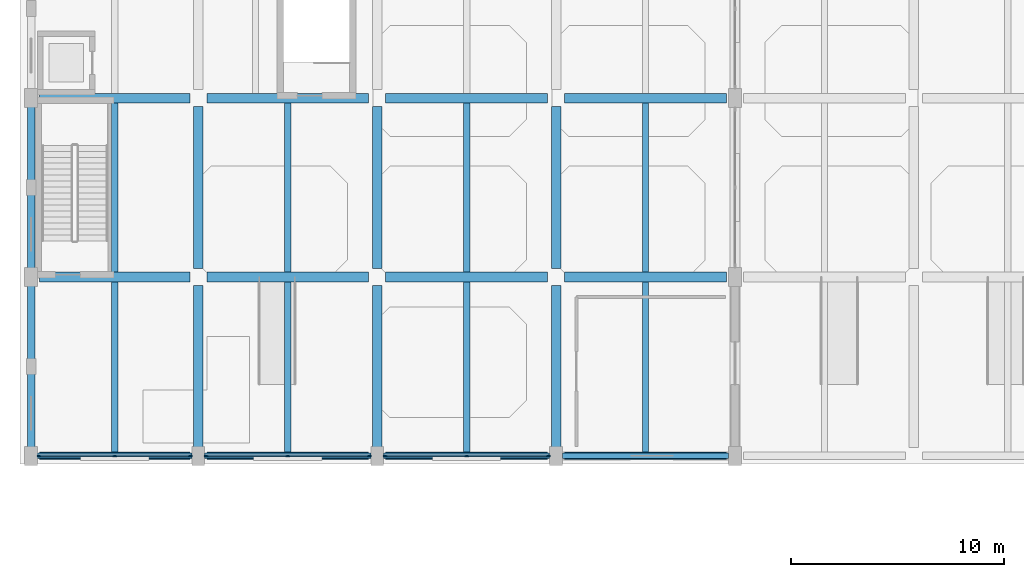
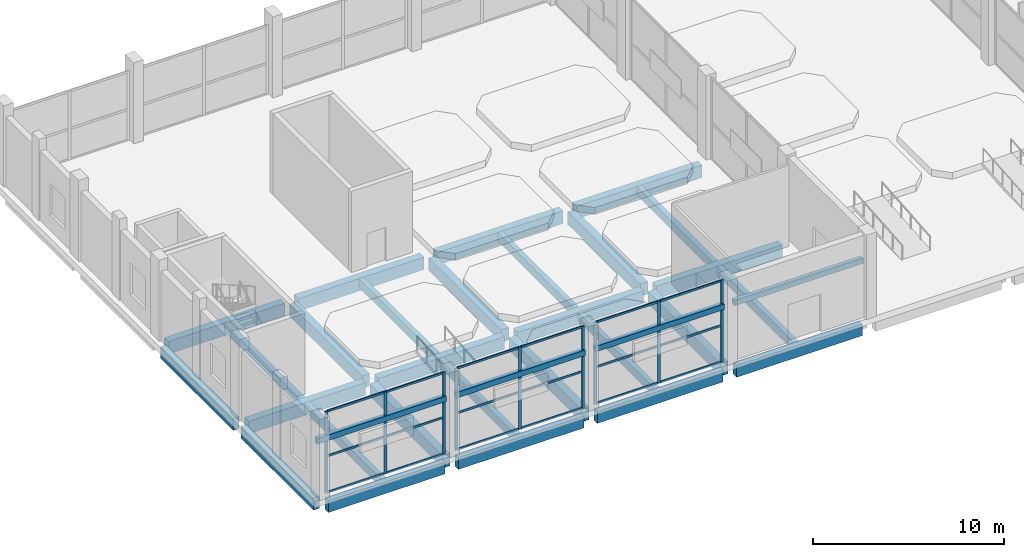
# One storey, part 5 of 34: 32 beams, 27 members, 3 elements without a shape of their own.
"""IFC4 building model written with IfcOpenShell, lengths in metres."""

from ifc_helpers import new_model, si_unit, direction, frame, origin, origin_2d, place, context, subcontext, project, spatial, rectangle, extrude, material, material_profile, profile_set, type_object, element, aggregate, save


model = new_model("IFC4")

# Units and contexts
model_context = context("Model", 3, precision=1e-05, world=origin(), true_north=direction((0.0, 1.0)))
body_context = subcontext(model_context, "Body", "Model", "MODEL_VIEW")
ifc_project = project(units=[si_unit("LENGTHUNIT", "METRE"), si_unit("AREAUNIT", "SQUARE_METRE"), si_unit("VOLUMEUNIT", "CUBIC_METRE"), si_unit("PLANEANGLEUNIT", "RADIAN"), si_unit("MASSUNIT", "GRAM", prefix="KILO")], contexts=[model_context])

# Site, building, storey
site_placement = place(None, origin())
site = spatial("IfcSite", under=ifc_project, at=site_placement, CompositionType="ELEMENT")
building_placement = place(site_placement, origin())
building = spatial("IfcBuilding", under=site, at=building_placement, Name="Brinegate Botanical Conservatory", CompositionType="ELEMENT")
storey_placement = place(building_placement, origin())
storey = spatial("IfcBuildingStorey", under=building, at=storey_placement, Name="L01", CompositionType="ELEMENT", Elevation=0.0)

# Beams
ifc_material_1 = material(Name="Concrete C40/50", Category="concrete")
ifc_material_profile_1 = material_profile(ifc_material_1, rectangle(XDim=0.449951171875, YDim=0.800048828125, at=origin_2d()), Name="RC BM 450x800")
ifc_profile_set_1 = profile_set([ifc_material_profile_1], Name="Concrete C40/50")
beam_type_1 = type_object("IfcBeamType", Name="Beam_BM-G1", PredefinedType="BEAM", material=ifc_profile_set_1)
beam_1_placement = place(storey_placement, frame((0.949951171875, 86.800048828125, -0.804931640625), z_axis=(1.0, 0.0, 0.0), x_axis=(0.0, 1.0, 0.0)))
element("IfcBeam", 1, at=beam_1_placement, inside=storey, type_object=beam_type_1, Name="Beam BM-G1 L01 L:1-2", PredefinedType="BEAM", context=body_context, shape_type="SweptSolid", body=[
    extrude(rectangle(XDim=0.449951171875, YDim=0.800048828125, at=origin_2d()), origin(), (0.0, 0.0, 1.0), 7.050048828125),
])
beam_2_placement = place(storey_placement, frame((8.800048828125, 86.800048828125, -0.804931640625), z_axis=(1.0, 0.0, 0.0), x_axis=(0.0, 1.0, 0.0)))
element("IfcBeam", 2, at=beam_2_placement, inside=storey, type_object=beam_type_1, Name="Beam BM-G1 L01 L:2-3", PredefinedType="BEAM", context=body_context, shape_type="SweptSolid", body=[
    extrude(rectangle(XDim=0.449951171875, YDim=0.800048828125, at=origin_2d()), origin(), (0.0, 0.0, 1.0), 7.599853515625),
])
beam_3_placement = place(storey_placement, frame((17.199951171875, 86.800048828125, -0.804931640625), z_axis=(1.0, 0.0, 0.0), x_axis=(0.0, 1.0, 0.0)))
element("IfcBeam", 3, at=beam_3_placement, inside=storey, type_object=beam_type_1, Name="Beam BM-G1 L01 L:3-4", PredefinedType="BEAM", context=body_context, shape_type="SweptSolid", body=[
    extrude(rectangle(XDim=0.449951171875, YDim=0.800048828125, at=origin_2d()), origin(), (0.0, 0.0, 1.0), 7.60009765625),
])
beam_4_placement = place(storey_placement, frame((25.60009765625, 86.800048828125, -0.804931640625), z_axis=(1.0, 0.0, 0.0), x_axis=(0.0, 1.0, 0.0)))
element("IfcBeam", 4, at=beam_4_placement, inside=storey, type_object=beam_type_1, Name="Beam BM-G1 L01 L:4-5", PredefinedType="BEAM", context=body_context, shape_type="SweptSolid", body=[
    extrude(rectangle(XDim=0.449951171875, YDim=0.800048828125, at=origin_2d()), origin(), (0.0, 0.0, 1.0), 7.599853515625),
])
beam_5_placement = place(storey_placement, frame((0.949951171875, 95.199951171875, -0.804931640625), z_axis=(1.0, 0.0, 0.0), x_axis=(0.0, 1.0, 0.0)))
element("IfcBeam", 5, at=beam_5_placement, inside=storey, type_object=beam_type_1, Name="Beam BM-G1 L01 M:1-2", PredefinedType="BEAM", context=body_context, shape_type="SweptSolid", body=[
    extrude(rectangle(XDim=0.449951171875, YDim=0.800048828125, at=origin_2d()), origin(), (0.0, 0.0, 1.0), 7.050048828125),
])
beam_6_placement = place(storey_placement, frame((8.800048828125, 95.199951171875, -0.804931640625), z_axis=(1.0, 0.0, 0.0), x_axis=(0.0, 1.0, 0.0)))
element("IfcBeam", 6, at=beam_6_placement, inside=storey, type_object=beam_type_1, Name="Beam BM-G1 L01 M:2-3", PredefinedType="BEAM", context=body_context, shape_type="SweptSolid", body=[
    extrude(rectangle(XDim=0.449951171875, YDim=0.800048828125, at=origin_2d()), origin(), (0.0, 0.0, 1.0), 7.599853515625),
])
beam_7_placement = place(storey_placement, frame((17.199951171875, 95.199951171875, -0.804931640625), z_axis=(1.0, 0.0, 0.0), x_axis=(0.0, 1.0, 0.0)))
element("IfcBeam", 7, at=beam_7_placement, inside=storey, type_object=beam_type_1, Name="Beam BM-G1 L01 M:3-4", PredefinedType="BEAM", context=body_context, shape_type="SweptSolid", body=[
    extrude(rectangle(XDim=0.449951171875, YDim=0.800048828125, at=origin_2d()), origin(), (0.0, 0.0, 1.0), 7.60009765625),
])
for number, where, z_axis, x_axis, name in (
    (8, (25.60009765625, 95.199951171875, -0.804931640625), (1.0, 0.0, 0.0), (0.0, 1.0, 0.0), "Beam BM-G1 L01 M:4-5"),
    (9, (8.39990234375, 78.800048828125, -0.804931640625), (0.0, 1.0, 0.0), (-1.0, 0.0, 0.0), "Beam BM-G1 L01 2:K-L"),
):
    element("IfcBeam", number, at=place(storey_placement, frame(where, z_axis=z_axis, x_axis=x_axis)), inside=storey, type_object=beam_type_1, Name=name, PredefinedType="BEAM", context=body_context, shape_type="SweptSolid", body=[
        extrude(rectangle(XDim=0.449951171875, YDim=0.800048828125, at=origin_2d()), origin(), (0.0, 0.0, 1.0), 7.599853515625),
    ])
beam_8_placement = place(storey_placement, frame((8.39990234375, 87.199951171875, -0.804931640625), z_axis=(0.0, 1.0, 0.0), x_axis=(-1.0, 0.0, 0.0)))
element("IfcBeam", 10, at=beam_8_placement, inside=storey, type_object=beam_type_1, Name="Beam BM-G1 L01 2:L-M", PredefinedType="BEAM", context=body_context, shape_type="SweptSolid", body=[
    extrude(rectangle(XDim=0.449951171875, YDim=0.800048828125, at=origin_2d()), origin(), (0.0, 0.0, 1.0), 7.60009765625),
])
beam_9_placement = place(storey_placement, frame((16.800048828125, 78.800048828125, -0.804931640625), z_axis=(0.0, 1.0, 0.0), x_axis=(-1.0, 0.0, 0.0)))
element("IfcBeam", 11, at=beam_9_placement, inside=storey, type_object=beam_type_1, Name="Beam BM-G1 L01 3:K-L", PredefinedType="BEAM", context=body_context, shape_type="SweptSolid", body=[
    extrude(rectangle(XDim=0.449951171875, YDim=0.800048828125, at=origin_2d()), origin(), (0.0, 0.0, 1.0), 7.599853515625),
])
beam_10_placement = place(storey_placement, frame((16.800048828125, 87.199951171875, -0.804931640625), z_axis=(0.0, 1.0, 0.0), x_axis=(-1.0, 0.0, 0.0)))
element("IfcBeam", 12, at=beam_10_placement, inside=storey, type_object=beam_type_1, Name="Beam BM-G1 L01 3:L-M", PredefinedType="BEAM", context=body_context, shape_type="SweptSolid", body=[
    extrude(rectangle(XDim=0.449951171875, YDim=0.800048828125, at=origin_2d()), origin(), (0.0, 0.0, 1.0), 7.60009765625),
])
beam_11_placement = place(storey_placement, frame((25.199951171875, 78.800048828125, -0.804931640625), z_axis=(0.0, 1.0, 0.0), x_axis=(-1.0, 0.0, 0.0)))
element("IfcBeam", 13, at=beam_11_placement, inside=storey, type_object=beam_type_1, Name="Beam BM-G1 L01 4:K-L", PredefinedType="BEAM", context=body_context, shape_type="SweptSolid", body=[
    extrude(rectangle(XDim=0.449951171875, YDim=0.800048828125, at=origin_2d()), origin(), (0.0, 0.0, 1.0), 7.599853515625),
])
beam_12_placement = place(storey_placement, frame((25.199951171875, 87.199951171875, -0.804931640625), z_axis=(0.0, 1.0, 0.0), x_axis=(-1.0, 0.0, 0.0)))
element("IfcBeam", 14, at=beam_12_placement, inside=storey, type_object=beam_type_1, Name="Beam BM-G1 L01 4:L-M", PredefinedType="BEAM", context=body_context, shape_type="SweptSolid", body=[
    extrude(rectangle(XDim=0.449951171875, YDim=0.800048828125, at=origin_2d()), origin(), (0.0, 0.0, 1.0), 7.60009765625),
])
ifc_material_profile_2 = material_profile(ifc_material_1, rectangle(XDim=0.300048828125, YDim=0.550048828125, at=origin_2d()), Name="RC JST 300x550")
ifc_profile_set_2 = profile_set([ifc_material_profile_2], Name="Concrete C40/50")
beam_type_2 = type_object("IfcBeamType", Name="Beam_JS-C1", PredefinedType="JOIST", material=ifc_profile_set_2)
beam_13_placement = place(storey_placement, frame((4.47509765625, 78.574951171875, -0.679931640625), z_axis=(0.0, 1.0, 0.0), x_axis=(-1.0, 0.0, 0.0)))
element("IfcBeam", 15, at=beam_13_placement, inside=storey, type_object=beam_type_2, Name="Floor joist JS-C1 L01 bay 1.10", PredefinedType="JOIST", context=body_context, shape_type="SweptSolid", body=[
    extrude(rectangle(XDim=0.300048828125, YDim=0.550048828125, at=origin_2d()), origin(), (0.0, 0.0, 1.0), 8.0),
])
beam_14_placement = place(storey_placement, frame((4.47509765625, 87.02490234375, -0.679931640625), z_axis=(0.0, 1.0, 0.0), x_axis=(-1.0, 0.0, 0.0)))
element("IfcBeam", 16, at=beam_14_placement, inside=storey, type_object=beam_type_2, Name="Floor joist JS-C1 L01 bay 1.11", PredefinedType="JOIST", context=body_context, shape_type="SweptSolid", body=[
    extrude(rectangle(XDim=0.300048828125, YDim=0.550048828125, at=origin_2d()), origin(), (0.0, 0.0, 1.0), 7.9501953125),
])
beam_15_placement = place(storey_placement, frame((12.60009765625, 78.574951171875, -0.679931640625), z_axis=(0.0, 1.0, 0.0), x_axis=(-1.0, 0.0, 0.0)))
element("IfcBeam", 17, at=beam_15_placement, inside=storey, type_object=beam_type_2, Name="Floor joist JS-C1 L01 bay 2.10", PredefinedType="JOIST", context=body_context, shape_type="SweptSolid", body=[
    extrude(rectangle(XDim=0.300048828125, YDim=0.550048828125, at=origin_2d()), origin(), (0.0, 0.0, 1.0), 8.0),
])
beam_16_placement = place(storey_placement, frame((12.60009765625, 87.02490234375, -0.679931640625), z_axis=(0.0, 1.0, 0.0), x_axis=(-1.0, 0.0, 0.0)))
element("IfcBeam", 18, at=beam_16_placement, inside=storey, type_object=beam_type_2, Name="Floor joist JS-C1 L01 bay 2.11", PredefinedType="JOIST", context=body_context, shape_type="SweptSolid", body=[
    extrude(rectangle(XDim=0.300048828125, YDim=0.550048828125, at=origin_2d()), origin(), (0.0, 0.0, 1.0), 7.9501953125),
])
beam_17_placement = place(storey_placement, frame((21.0, 78.574951171875, -0.679931640625), z_axis=(0.0, 1.0, 0.0), x_axis=(-1.0, 0.0, 0.0)))
element("IfcBeam", 19, at=beam_17_placement, inside=storey, type_object=beam_type_2, Name="Floor joist JS-C1 L01 bay 3.10", PredefinedType="JOIST", context=body_context, shape_type="SweptSolid", body=[
    extrude(rectangle(XDim=0.300048828125, YDim=0.550048828125, at=origin_2d()), origin(), (0.0, 0.0, 1.0), 8.0),
])
beam_18_placement = place(storey_placement, frame((21.0, 87.02490234375, -0.679931640625), z_axis=(0.0, 1.0, 0.0), x_axis=(-1.0, 0.0, 0.0)))
element("IfcBeam", 20, at=beam_18_placement, inside=storey, type_object=beam_type_2, Name="Floor joist JS-C1 L01 bay 3.11", PredefinedType="JOIST", context=body_context, shape_type="SweptSolid", body=[
    extrude(rectangle(XDim=0.300048828125, YDim=0.550048828125, at=origin_2d()), origin(), (0.0, 0.0, 1.0), 7.9501953125),
])
beam_19_placement = place(storey_placement, frame((29.39990234375, 78.574951171875, -0.679931640625), z_axis=(0.0, 1.0, 0.0), x_axis=(-1.0, 0.0, 0.0)))
element("IfcBeam", 21, at=beam_19_placement, inside=storey, type_object=beam_type_2, Name="Floor joist JS-C1 L01 bay 4.10", PredefinedType="JOIST", context=body_context, shape_type="SweptSolid", body=[
    extrude(rectangle(XDim=0.300048828125, YDim=0.550048828125, at=origin_2d()), origin(), (0.0, 0.0, 1.0), 8.0),
])
beam_20_placement = place(storey_placement, frame((29.39990234375, 87.02490234375, -0.679931640625), z_axis=(0.0, 1.0, 0.0), x_axis=(-1.0, 0.0, 0.0)))
element("IfcBeam", 22, at=beam_20_placement, inside=storey, type_object=beam_type_2, Name="Floor joist JS-C1 L01 bay 4.11", PredefinedType="JOIST", context=body_context, shape_type="SweptSolid", body=[
    extrude(rectangle(XDim=0.300048828125, YDim=0.550048828125, at=origin_2d()), origin(), (0.0, 0.0, 1.0), 7.9501953125),
])
ifc_material_2 = material(Name="Precast concrete C40/50", Category="concrete")
ifc_material_profile_3 = material_profile(ifc_material_2, rectangle(XDim=0.25, YDim=0.35009765625, at=origin_2d()), Name="RC LNT 250x350")
ifc_profile_set_3 = profile_set([ifc_material_profile_3], Name="Precast concrete C40/50")
beam_type_3 = type_object("IfcBeamType", Name="Beam_LN-01", PredefinedType="LINTEL", material=ifc_profile_set_3)
for number, where, z_axis, x_axis, name in (
    (23, (0.300048828125, 78.39990234375, 3.574951171875), (1.0, 0.0, 0.0), (0.0, 1.0, 0.0), "Warehouse opening lintel LN-01 1"),
    (24, (8.699951171875, 78.39990234375, 3.574951171875), (1.0, 0.0, 0.0), (0.0, 1.0, 0.0), "Warehouse opening lintel LN-01 2"),
):
    element("IfcBeam", number, at=place(storey_placement, frame(where, z_axis=z_axis, x_axis=x_axis)), inside=storey, type_object=beam_type_3, Name=name, PredefinedType="LINTEL", context=body_context, shape_type="SweptSolid", body=[
        extrude(rectangle(XDim=0.25, YDim=0.35009765625, at=origin_2d()), origin(), (0.0, 0.0, 1.0), 7.800048828125),
    ])
beam_21_placement = place(storey_placement, frame((17.10009765625, 78.39990234375, 3.574951171875), z_axis=(1.0, 0.0, 0.0), x_axis=(0.0, 1.0, 0.0)))
element("IfcBeam", 25, at=beam_21_placement, inside=storey, type_object=beam_type_3, Name="Warehouse opening lintel LN-01 3", PredefinedType="LINTEL", context=body_context, shape_type="SweptSolid", body=[
    extrude(rectangle(XDim=0.25, YDim=0.35009765625, at=origin_2d()), origin(), (0.0, 0.0, 1.0), 7.7998046875),
])
beam_22_placement = place(storey_placement, frame((25.5, 78.39990234375, 3.574951171875), z_axis=(1.0, 0.0, 0.0), x_axis=(0.0, 1.0, 0.0)))
element("IfcBeam", 26, at=beam_22_placement, inside=storey, type_object=beam_type_3, Name="Warehouse opening lintel LN-01 4", PredefinedType="LINTEL", context=body_context, shape_type="SweptSolid", body=[
    extrude(rectangle(XDim=0.25, YDim=0.35009765625, at=origin_2d()), origin(), (0.0, 0.0, 1.0), 7.800048828125),
])
ifc_material_profile_4 = material_profile(ifc_material_1, rectangle(XDim=0.35009765625, YDim=0.75, at=origin_2d()), Name="RC SPN 350x750")
ifc_profile_set_4 = profile_set([ifc_material_profile_4], Name="Concrete C40/50")
beam_type_4 = type_object("IfcBeamType", Name="Beam_SP-01", PredefinedType="SPANDREL", material=ifc_profile_set_4)
beam_23_placement = place(storey_placement, frame((0.949951171875, 78.39990234375, -0.780029296875), z_axis=(1.0, 0.0, 0.0), x_axis=(0.0, 1.0, 0.0)))
element("IfcBeam", 27, at=beam_23_placement, inside=storey, type_object=beam_type_4, Name="Beam SP-01 L01 K:1-2", PredefinedType="SPANDREL", context=body_context, shape_type="SweptSolid", body=[
    extrude(rectangle(XDim=0.35009765625, YDim=0.75, at=origin_2d()), origin(), (0.0, 0.0, 1.0), 7.050048828125),
])
beam_24_placement = place(storey_placement, frame((8.800048828125, 78.39990234375, -0.780029296875), z_axis=(1.0, 0.0, 0.0), x_axis=(0.0, 1.0, 0.0)))
element("IfcBeam", 28, at=beam_24_placement, inside=storey, type_object=beam_type_4, Name="Beam SP-01 L01 K:2-3", PredefinedType="SPANDREL", context=body_context, shape_type="SweptSolid", body=[
    extrude(rectangle(XDim=0.35009765625, YDim=0.75, at=origin_2d()), origin(), (0.0, 0.0, 1.0), 7.599853515625),
])
beam_25_placement = place(storey_placement, frame((17.199951171875, 78.39990234375, -0.780029296875), z_axis=(1.0, 0.0, 0.0), x_axis=(0.0, 1.0, 0.0)))
element("IfcBeam", 29, at=beam_25_placement, inside=storey, type_object=beam_type_4, Name="Beam SP-01 L01 K:3-4", PredefinedType="SPANDREL", context=body_context, shape_type="SweptSolid", body=[
    extrude(rectangle(XDim=0.35009765625, YDim=0.75, at=origin_2d()), origin(), (0.0, 0.0, 1.0), 7.60009765625),
])
for number, where, z_axis, x_axis, name in (
    (30, (25.60009765625, 78.39990234375, -0.780029296875), (1.0, 0.0, 0.0), (0.0, 1.0, 0.0), "Beam SP-01 L01 K:4-5"),
    (31, (0.550048828125, 78.800048828125, -0.780029296875), (0.0, 1.0, 0.0), (-1.0, 0.0, 0.0), "Beam SP-01 L01 1:K-L"),
):
    element("IfcBeam", number, at=place(storey_placement, frame(where, z_axis=z_axis, x_axis=x_axis)), inside=storey, type_object=beam_type_4, Name=name, PredefinedType="SPANDREL", context=body_context, shape_type="SweptSolid", body=[
        extrude(rectangle(XDim=0.35009765625, YDim=0.75, at=origin_2d()), origin(), (0.0, 0.0, 1.0), 7.599853515625),
    ])
beam_26_placement = place(storey_placement, frame((0.550048828125, 87.199951171875, -0.780029296875), z_axis=(0.0, 1.0, 0.0), x_axis=(-1.0, 0.0, 0.0)))
element("IfcBeam", 32, at=beam_26_placement, inside=storey, type_object=beam_type_4, Name="Beam SP-01 L01 1:L-M", PredefinedType="SPANDREL", context=body_context, shape_type="SweptSolid", body=[
    extrude(rectangle(XDim=0.35009765625, YDim=0.75, at=origin_2d()), origin(), (0.0, 0.0, 1.0), 7.60009765625),
])

# Curtain wall, members
ifc_material_3 = material(Name="Thermally broken anodised aluminium AW-6063-T6", Category="aluminium")
curtain_wall_type = type_object("IfcCurtainWallType", Name="CW_CW-V1", PredefinedType="USERDEFINED", material=ifc_material_3)
curtain_wall_1_placement = place(storey_placement, origin())
curtain_wall_1 = element("IfcCurtainWall", 33, at=curtain_wall_1_placement, inside=storey, type_object=curtain_wall_type, Name="Conservatory south curtain wall L01.1", ObjectType="FACTORY CURTAIN WALL", PredefinedType="USERDEFINED")
ifc_material_profile_5 = material_profile(ifc_material_3, rectangle(XDim=0.06494140625, YDim=0.179931640625, at=origin_2d()), Name="ALUM MULLION 65x180")
ifc_profile_set_5 = profile_set([ifc_material_profile_5], Name="Thermally broken anodised aluminium AW-6063-T6")
member_type_1 = type_object("IfcMemberType", Name="Member_ML-02", PredefinedType="MULLION", material=ifc_profile_set_5)
member_1_placement = place(storey_placement, frame((8.027587890625, 78.39990234375, 0.0), z_axis=(0.0, 0.0, 1.0), x_axis=(0.0, -1.0, 0.0)))
member_1 = element("IfcMember", 34, at=member_1_placement, type_object=member_type_1, Name="CW-V1 mullion 1", PredefinedType="MULLION", context=body_context, shape_type="SweptSolid", body=[
    extrude(rectangle(XDim=0.06494140625, YDim=0.179931640625, at=origin_2d()), origin(), (0.0, 0.0, 1.0), 5.239990234375),
])
member_2_placement = place(storey_placement, frame((4.47509765625, 78.39990234375, 0.0), z_axis=(0.0, 0.0, 1.0), x_axis=(0.0, -1.0, 0.0)))
member_2 = element("IfcMember", 35, at=member_2_placement, type_object=member_type_1, Name="CW-V1 mullion 2", PredefinedType="MULLION", context=body_context, shape_type="SweptSolid", body=[
    extrude(rectangle(XDim=0.06494140625, YDim=0.179931640625, at=origin_2d()), origin(), (0.0, 0.0, 1.0), 5.239990234375),
])
member_3_placement = place(storey_placement, frame((0.922607421875, 78.39990234375, 0.0), z_axis=(0.0, 0.0, 1.0), x_axis=(0.0, -1.0, 0.0)))
member_3 = element("IfcMember", 36, at=member_3_placement, type_object=member_type_1, Name="CW-V1 mullion 3", PredefinedType="MULLION", context=body_context, shape_type="SweptSolid", body=[
    extrude(rectangle(XDim=0.06494140625, YDim=0.179931640625, at=origin_2d()), origin(), (0.0, 0.0, 1.0), 5.239990234375),
])

curtain_wall_2_placement = place(storey_placement, origin())
curtain_wall_2 = element("IfcCurtainWall", 37, at=curtain_wall_2_placement, inside=storey, type_object=curtain_wall_type, Name="Conservatory south curtain wall L01.2", ObjectType="FACTORY CURTAIN WALL", PredefinedType="USERDEFINED")
member_4_placement = place(storey_placement, frame((16.427490234375, 78.39990234375, 0.0), z_axis=(0.0, 0.0, 1.0), x_axis=(0.0, -1.0, 0.0)))
member_4 = element("IfcMember", 38, at=member_4_placement, type_object=member_type_1, Name="CW-V1 mullion 1", PredefinedType="MULLION", context=body_context, shape_type="SweptSolid", body=[
    extrude(rectangle(XDim=0.06494140625, YDim=0.179931640625, at=origin_2d()), origin(), (0.0, 0.0, 1.0), 5.239990234375),
])
member_5_placement = place(storey_placement, frame((12.60009765625, 78.39990234375, 0.0), z_axis=(0.0, 0.0, 1.0), x_axis=(0.0, -1.0, 0.0)))
member_5 = element("IfcMember", 39, at=member_5_placement, type_object=member_type_1, Name="CW-V1 mullion 2", PredefinedType="MULLION", context=body_context, shape_type="SweptSolid", body=[
    extrude(rectangle(XDim=0.06494140625, YDim=0.179931640625, at=origin_2d()), origin(), (0.0, 0.0, 1.0), 5.239990234375),
])
member_6_placement = place(storey_placement, frame((8.7724609375, 78.39990234375, 0.0), z_axis=(0.0, 0.0, 1.0), x_axis=(0.0, -1.0, 0.0)))
member_6 = element("IfcMember", 40, at=member_6_placement, type_object=member_type_1, Name="CW-V1 mullion 3", PredefinedType="MULLION", context=body_context, shape_type="SweptSolid", body=[
    extrude(rectangle(XDim=0.06494140625, YDim=0.179931640625, at=origin_2d()), origin(), (0.0, 0.0, 1.0), 5.239990234375),
])

curtain_wall_3_placement = place(storey_placement, origin())
curtain_wall_3 = element("IfcCurtainWall", 41, at=curtain_wall_3_placement, inside=storey, type_object=curtain_wall_type, Name="Conservatory south curtain wall L01.3", ObjectType="FACTORY CURTAIN WALL", PredefinedType="USERDEFINED")
member_7_placement = place(storey_placement, frame((24.827392578125, 78.39990234375, 0.0), z_axis=(0.0, 0.0, 1.0), x_axis=(0.0, -1.0, 0.0)))
member_7 = element("IfcMember", 42, at=member_7_placement, type_object=member_type_1, Name="CW-V1 mullion 1", PredefinedType="MULLION", context=body_context, shape_type="SweptSolid", body=[
    extrude(rectangle(XDim=0.06494140625, YDim=0.179931640625, at=origin_2d()), origin(), (0.0, 0.0, 1.0), 5.239990234375),
])
member_8_placement = place(storey_placement, frame((21.0, 78.39990234375, 0.0), z_axis=(0.0, 0.0, 1.0), x_axis=(0.0, -1.0, 0.0)))
member_8 = element("IfcMember", 43, at=member_8_placement, type_object=member_type_1, Name="CW-V1 mullion 2", PredefinedType="MULLION", context=body_context, shape_type="SweptSolid", body=[
    extrude(rectangle(XDim=0.06494140625, YDim=0.179931640625, at=origin_2d()), origin(), (0.0, 0.0, 1.0), 5.239990234375),
])
member_9_placement = place(storey_placement, frame((17.172607421875, 78.39990234375, 0.0), z_axis=(0.0, 0.0, 1.0), x_axis=(0.0, -1.0, 0.0)))
member_9 = element("IfcMember", 44, at=member_9_placement, type_object=member_type_1, Name="CW-V1 mullion 3", PredefinedType="MULLION", context=body_context, shape_type="SweptSolid", body=[
    extrude(rectangle(XDim=0.06494140625, YDim=0.179931640625, at=origin_2d()), origin(), (0.0, 0.0, 1.0), 5.239990234375),
])

# Member
ifc_material_profile_6 = material_profile(ifc_material_3, rectangle(XDim=0.06494140625, YDim=0.135009765625, at=origin_2d()), Name="ALUM TRANSOM 65x135")
ifc_profile_set_6 = profile_set([ifc_material_profile_6], Name="Thermally broken anodised aluminium AW-6063-T6")
member_type_2 = type_object("IfcMemberType", Name="Member_TR-02", PredefinedType="USERDEFINED", material=ifc_profile_set_6)
member_10_placement = place(storey_placement, frame((7.9951171875, 78.39990234375, 0.032470703125), z_axis=(-1.0, 0.0, 0.0), x_axis=(0.0, -1.0, 0.0)))
member_10 = element("IfcMember", 45, at=member_10_placement, type_object=member_type_2, Name="CW-V1 transom 1.1", ObjectType="TRANSOM", PredefinedType="USERDEFINED", context=body_context, shape_type="SweptSolid", body=[
    extrude(rectangle(XDim=0.06494140625, YDim=0.135009765625, at=origin_2d()), origin(), (0.0, 0.0, 1.0), 3.487548828125),
])

member_11_placement = place(storey_placement, frame((7.9951171875, 78.39990234375, 2.35791015625), z_axis=(-1.0, 0.0, 0.0), x_axis=(0.0, -1.0, 0.0)))
member_11 = element("IfcMember", 46, at=member_11_placement, type_object=member_type_2, Name="CW-V1 transom 1.2", ObjectType="TRANSOM", PredefinedType="USERDEFINED", context=body_context, shape_type="SweptSolid", body=[
    extrude(rectangle(XDim=0.06494140625, YDim=0.135009765625, at=origin_2d()), origin(), (0.0, 0.0, 1.0), 3.487548828125),
])

member_12_placement = place(storey_placement, frame((7.9951171875, 78.39990234375, 5.20751953125), z_axis=(-1.0, 0.0, 0.0), x_axis=(0.0, -1.0, 0.0)))
member_12 = element("IfcMember", 47, at=member_12_placement, type_object=member_type_2, Name="CW-V1 transom 1.3", ObjectType="TRANSOM", PredefinedType="USERDEFINED", context=body_context, shape_type="SweptSolid", body=[
    extrude(rectangle(XDim=0.06494140625, YDim=0.135009765625, at=origin_2d()), origin(), (0.0, 0.0, 1.0), 3.487548828125),
])

member_13_placement = place(storey_placement, frame((4.4423828125, 78.39990234375, 0.032470703125), z_axis=(-1.0, 0.0, 0.0), x_axis=(0.0, -1.0, 0.0)))
member_13 = element("IfcMember", 48, at=member_13_placement, type_object=member_type_2, Name="CW-V1 transom 2.1", ObjectType="TRANSOM", PredefinedType="USERDEFINED", context=body_context, shape_type="SweptSolid", body=[
    extrude(rectangle(XDim=0.06494140625, YDim=0.135009765625, at=origin_2d()), origin(), (0.0, 0.0, 1.0), 3.4873046875),
])

member_14_placement = place(storey_placement, frame((4.4423828125, 78.39990234375, 2.35791015625), z_axis=(-1.0, 0.0, 0.0), x_axis=(0.0, -1.0, 0.0)))
member_14 = element("IfcMember", 49, at=member_14_placement, type_object=member_type_2, Name="CW-V1 transom 2.2", ObjectType="TRANSOM", PredefinedType="USERDEFINED", context=body_context, shape_type="SweptSolid", body=[
    extrude(rectangle(XDim=0.06494140625, YDim=0.135009765625, at=origin_2d()), origin(), (0.0, 0.0, 1.0), 3.4873046875),
])

member_15_placement = place(storey_placement, frame((4.4423828125, 78.39990234375, 5.20751953125), z_axis=(-1.0, 0.0, 0.0), x_axis=(0.0, -1.0, 0.0)))
member_15 = element("IfcMember", 50, at=member_15_placement, type_object=member_type_2, Name="CW-V1 transom 2.3", ObjectType="TRANSOM", PredefinedType="USERDEFINED", context=body_context, shape_type="SweptSolid", body=[
    extrude(rectangle(XDim=0.06494140625, YDim=0.135009765625, at=origin_2d()), origin(), (0.0, 0.0, 1.0), 3.4873046875),
])

aggregate(curtain_wall_1, [member_1, member_2, member_3, member_10, member_11, member_12, member_13, member_14, member_15])

member_16_placement = place(storey_placement, frame((16.39501953125, 78.39990234375, 0.032470703125), z_axis=(-1.0, 0.0, 0.0), x_axis=(0.0, -1.0, 0.0)))
member_16 = element("IfcMember", 51, at=member_16_placement, type_object=member_type_2, Name="CW-V1 transom 1.1", ObjectType="TRANSOM", PredefinedType="USERDEFINED", context=body_context, shape_type="SweptSolid", body=[
    extrude(rectangle(XDim=0.06494140625, YDim=0.135009765625, at=origin_2d()), origin(), (0.0, 0.0, 1.0), 3.762451171875),
])

member_17_placement = place(storey_placement, frame((16.39501953125, 78.39990234375, 2.35791015625), z_axis=(-1.0, 0.0, 0.0), x_axis=(0.0, -1.0, 0.0)))
member_17 = element("IfcMember", 52, at=member_17_placement, type_object=member_type_2, Name="CW-V1 transom 1.2", ObjectType="TRANSOM", PredefinedType="USERDEFINED", context=body_context, shape_type="SweptSolid", body=[
    extrude(rectangle(XDim=0.06494140625, YDim=0.135009765625, at=origin_2d()), origin(), (0.0, 0.0, 1.0), 3.762451171875),
])

member_18_placement = place(storey_placement, frame((16.39501953125, 78.39990234375, 5.20751953125), z_axis=(-1.0, 0.0, 0.0), x_axis=(0.0, -1.0, 0.0)))
member_18 = element("IfcMember", 53, at=member_18_placement, type_object=member_type_2, Name="CW-V1 transom 1.3", ObjectType="TRANSOM", PredefinedType="USERDEFINED", context=body_context, shape_type="SweptSolid", body=[
    extrude(rectangle(XDim=0.06494140625, YDim=0.135009765625, at=origin_2d()), origin(), (0.0, 0.0, 1.0), 3.762451171875),
])

member_19_placement = place(storey_placement, frame((12.5673828125, 78.39990234375, 0.032470703125), z_axis=(-1.0, 0.0, 0.0), x_axis=(0.0, -1.0, 0.0)))
member_19 = element("IfcMember", 54, at=member_19_placement, type_object=member_type_2, Name="CW-V1 transom 2.1", ObjectType="TRANSOM", PredefinedType="USERDEFINED", context=body_context, shape_type="SweptSolid", body=[
    extrude(rectangle(XDim=0.06494140625, YDim=0.135009765625, at=origin_2d()), origin(), (0.0, 0.0, 1.0), 3.762451171875),
])

member_20_placement = place(storey_placement, frame((12.5673828125, 78.39990234375, 2.35791015625), z_axis=(-1.0, 0.0, 0.0), x_axis=(0.0, -1.0, 0.0)))
member_20 = element("IfcMember", 55, at=member_20_placement, type_object=member_type_2, Name="CW-V1 transom 2.2", ObjectType="TRANSOM", PredefinedType="USERDEFINED", context=body_context, shape_type="SweptSolid", body=[
    extrude(rectangle(XDim=0.06494140625, YDim=0.135009765625, at=origin_2d()), origin(), (0.0, 0.0, 1.0), 3.762451171875),
])

member_21_placement = place(storey_placement, frame((12.5673828125, 78.39990234375, 5.20751953125), z_axis=(-1.0, 0.0, 0.0), x_axis=(0.0, -1.0, 0.0)))
member_21 = element("IfcMember", 56, at=member_21_placement, type_object=member_type_2, Name="CW-V1 transom 2.3", ObjectType="TRANSOM", PredefinedType="USERDEFINED", context=body_context, shape_type="SweptSolid", body=[
    extrude(rectangle(XDim=0.06494140625, YDim=0.135009765625, at=origin_2d()), origin(), (0.0, 0.0, 1.0), 3.762451171875),
])

aggregate(curtain_wall_2, [member_4, member_5, member_6, member_16, member_17, member_18, member_19, member_20, member_21])

member_22_placement = place(storey_placement, frame((24.794921875, 78.39990234375, 0.032470703125), z_axis=(-1.0, 0.0, 0.0), x_axis=(0.0, -1.0, 0.0)))
member_22 = element("IfcMember", 57, at=member_22_placement, type_object=member_type_2, Name="CW-V1 transom 1.1", ObjectType="TRANSOM", PredefinedType="USERDEFINED", context=body_context, shape_type="SweptSolid", body=[
    extrude(rectangle(XDim=0.06494140625, YDim=0.135009765625, at=origin_2d()), origin(), (0.0, 0.0, 1.0), 3.762451171875),
])

member_23_placement = place(storey_placement, frame((24.794921875, 78.39990234375, 2.35791015625), z_axis=(-1.0, 0.0, 0.0), x_axis=(0.0, -1.0, 0.0)))
member_23 = element("IfcMember", 58, at=member_23_placement, type_object=member_type_2, Name="CW-V1 transom 1.2", ObjectType="TRANSOM", PredefinedType="USERDEFINED", context=body_context, shape_type="SweptSolid", body=[
    extrude(rectangle(XDim=0.06494140625, YDim=0.135009765625, at=origin_2d()), origin(), (0.0, 0.0, 1.0), 3.762451171875),
])

member_24_placement = place(storey_placement, frame((24.794921875, 78.39990234375, 5.20751953125), z_axis=(-1.0, 0.0, 0.0), x_axis=(0.0, -1.0, 0.0)))
member_24 = element("IfcMember", 59, at=member_24_placement, type_object=member_type_2, Name="CW-V1 transom 1.3", ObjectType="TRANSOM", PredefinedType="USERDEFINED", context=body_context, shape_type="SweptSolid", body=[
    extrude(rectangle(XDim=0.06494140625, YDim=0.135009765625, at=origin_2d()), origin(), (0.0, 0.0, 1.0), 3.762451171875),
])

member_25_placement = place(storey_placement, frame((20.967529296875, 78.39990234375, 0.032470703125), z_axis=(-1.0, 0.0, 0.0), x_axis=(0.0, -1.0, 0.0)))
member_25 = element("IfcMember", 60, at=member_25_placement, type_object=member_type_2, Name="CW-V1 transom 2.1", ObjectType="TRANSOM", PredefinedType="USERDEFINED", context=body_context, shape_type="SweptSolid", body=[
    extrude(rectangle(XDim=0.06494140625, YDim=0.135009765625, at=origin_2d()), origin(), (0.0, 0.0, 1.0), 3.762451171875),
])

member_26_placement = place(storey_placement, frame((20.967529296875, 78.39990234375, 2.35791015625), z_axis=(-1.0, 0.0, 0.0), x_axis=(0.0, -1.0, 0.0)))
member_26 = element("IfcMember", 61, at=member_26_placement, type_object=member_type_2, Name="CW-V1 transom 2.2", ObjectType="TRANSOM", PredefinedType="USERDEFINED", context=body_context, shape_type="SweptSolid", body=[
    extrude(rectangle(XDim=0.06494140625, YDim=0.135009765625, at=origin_2d()), origin(), (0.0, 0.0, 1.0), 3.762451171875),
])

member_27_placement = place(storey_placement, frame((20.967529296875, 78.39990234375, 5.20751953125), z_axis=(-1.0, 0.0, 0.0), x_axis=(0.0, -1.0, 0.0)))
member_27 = element("IfcMember", 62, at=member_27_placement, type_object=member_type_2, Name="CW-V1 transom 2.3", ObjectType="TRANSOM", PredefinedType="USERDEFINED", context=body_context, shape_type="SweptSolid", body=[
    extrude(rectangle(XDim=0.06494140625, YDim=0.135009765625, at=origin_2d()), origin(), (0.0, 0.0, 1.0), 3.762451171875),
])

aggregate(curtain_wall_3, [member_7, member_8, member_9, member_22, member_23, member_24, member_25, member_26, member_27])

save(model, "model.ifc")
